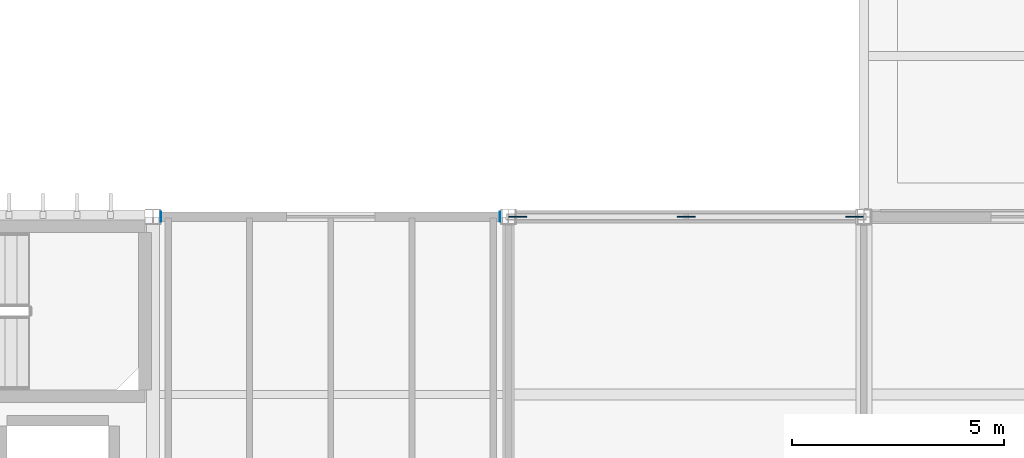
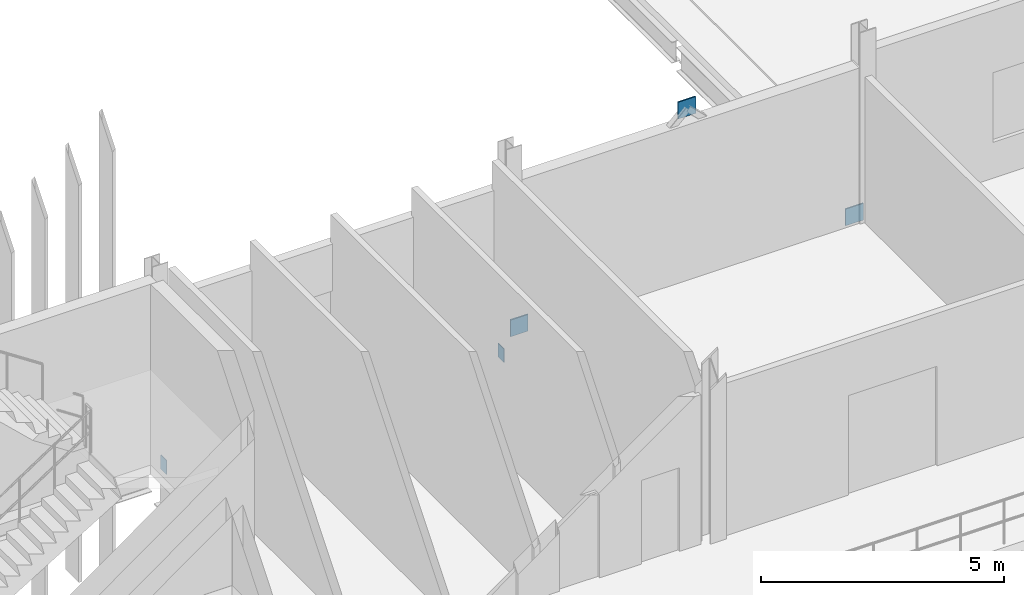
# One storey, part 38 of 72: 5 plates.
"""IFC4 building model written with IfcOpenShell, lengths in metres."""

import ifcopenshell
import ifcopenshell.guid

model = None  # the IFC model being written
_history = None  # IfcOwnerHistory: only IFC2X3 demands one
_inside = {}  # id of a spatial element -> (the spatial element, [elements in it])
_under = {}  # id of a project, library or spatial element -> (it, [spatial elements below it])
_declared = {}  # id of a project -> (the project, [libraries it declares])
_typed = {}  # id of a type object -> (the type object, [elements of that type])
_made_of = {}  # id of a material, layer set ... -> (it, [elements and type objects made of it])


def new_model(schema):
    """Start an empty IFC model of exactly this schema.

    Asked for "IFC4X3", IfcOpenShell would pick the latest addendum, in which some entities
    have other attributes; the version numbers below select the first issue.
    IFC2X3 requires an IfcOwnerHistory on every rooted entity: one is made here for all.
    """
    global model, _history
    if schema == "IFC4X3":
        model = ifcopenshell.file(schema_version=(4, 3, 0, 0))
    else:
        model = ifcopenshell.file(schema=schema)
    _inside.clear()
    _under.clear()
    _declared.clear()
    _typed.clear()
    _made_of.clear()
    _history = None
    if model.schema == "IFC2X3":
        org = make("IfcOrganization", Name="unknown")
        user = make(
            "IfcPersonAndOrganization",
            ThePerson=make("IfcPerson", FamilyName="unknown"),
            TheOrganization=org,
        )
        app = make(
            "IfcApplication",
            ApplicationDeveloper=org,
            Version="unknown",
            ApplicationFullName="unknown",
            ApplicationIdentifier="unknown",
        )
        _history = make(
            "IfcOwnerHistory",
            OwningUser=user,
            OwningApplication=app,
            ChangeAction="ADDED",
            CreationDate=0,
        )
    return model


def make(cls, **values):
    """One entity of the class cls with the attributes given. An attribute that is None is left unset."""
    return model.create_entity(
        cls, **{name: value for name, value in values.items() if value is not None}
    )


def rooted(cls, **values):
    """An entity with a GlobalId (a new one), such as an element, a storey or a relation."""
    return make(cls, GlobalId=ifcopenshell.guid.new(), OwnerHistory=_history, **values)


def si_unit(unit_type, name, prefix=None):
    """IfcSIUnit, for example si_unit("LENGTHUNIT", "METRE", prefix="MILLI")."""
    return make("IfcSIUnit", UnitType=unit_type, Prefix=prefix, Name=name)


def assignment(units):
    """IfcUnitAssignment: the units of a project."""
    return None if units is None else make("IfcUnitAssignment", Units=units)


def point(xyz):
    """IfcCartesianPoint."""
    return None if xyz is None else make("IfcCartesianPoint", Coordinates=xyz)


def direction(xyz):
    """IfcDirection."""
    return None if xyz is None else make("IfcDirection", DirectionRatios=xyz)


def frame(location, z_axis=None, x_axis=None):
    """IfcAxis2Placement3D, a coordinate frame: its origin and axes. An axis left out is left unset."""
    return make(
        "IfcAxis2Placement3D",
        Location=point(location),
        Axis=direction(z_axis),
        RefDirection=direction(x_axis),
    )


def frame_2d(location, x_axis=None):
    """IfcAxis2Placement2D, a coordinate frame in the plane: its origin and x axis."""
    return make(
        "IfcAxis2Placement2D", Location=point(location), RefDirection=direction(x_axis)
    )


def origin():
    """The frame at (0, 0, 0) with its axes left unset."""
    return frame((0.0, 0.0, 0.0))


def origin_2d():
    """The frame at (0, 0) in the plane with its x axis left unset."""
    return frame_2d((0.0, 0.0))


def place(relative_to, where):
    """IfcLocalPlacement: puts the frame where relative to a parent placement (None: the world)."""
    return make(
        "IfcLocalPlacement", PlacementRelTo=relative_to, RelativePlacement=where
    )


def context(
    kind, dimensions, precision=None, world=None, true_north=None, identifier=None
):
    """IfcGeometricRepresentationContext, for example the 3D "Model" context."""
    return make(
        "IfcGeometricRepresentationContext",
        ContextIdentifier=identifier,
        ContextType=kind,
        CoordinateSpaceDimension=dimensions,
        Precision=precision,
        WorldCoordinateSystem=world,
        TrueNorth=true_north,
    )


def subcontext(parent, identifier, kind, view, scale=None):
    """IfcGeometricRepresentationSubContext, for example "Body" below "Model"."""
    return make(
        "IfcGeometricRepresentationSubContext",
        ContextIdentifier=identifier,
        ContextType=kind,
        ParentContext=parent,
        TargetScale=scale,
        TargetView=view,
    )


def project(units=None, contexts=None):
    """IfcProject with its units and contexts."""
    return rooted(
        "IfcProject",
        Name="project",
        RepresentationContexts=contexts,
        UnitsInContext=assignment(units),
    )


def spatial(cls, under=None, at=None, **own):
    """A site, building, storey or space (cls), placed at a placement, below another one or the project."""
    s = rooted(cls, ObjectPlacement=at, **own)
    if under is not None:
        _under.setdefault(under.id(), (under, []))[1].append(s)
    return s


def profile(cls, at=None, kind="AREA", **sizes):
    """A parametric profile (cls). Its sizes go by their IFC names, for example OverallWidth=200.0."""
    return make(cls, ProfileType=kind, Position=at, **sizes)


def rectangle(**sizes):
    """IfcRectangleProfileDef."""
    return profile("IfcRectangleProfileDef", **sizes)


def extrude(swept, where, along, depth):
    """IfcExtrudedAreaSolid: the profile swept, set in the frame where, extruded along a direction by depth."""
    return make(
        "IfcExtrudedAreaSolid",
        SweptArea=swept,
        Position=where,
        ExtrudedDirection=direction(along),
        Depth=depth,
    )


def shape(context_of_items, identifier, shape_type, items):
    """IfcShapeRepresentation: the items that make up one representation, for example the "Body"."""
    return make(
        "IfcShapeRepresentation",
        ContextOfItems=context_of_items,
        RepresentationIdentifier=identifier,
        RepresentationType=shape_type,
        Items=items,
    )


def material(Name=None, Category=None):
    """IfcMaterial."""
    return make("IfcMaterial", Name=Name, Category=Category)


def layer(
    of_material, thickness, ventilated=None, Name=None, Category=None, Priority=None
):
    """IfcMaterialLayer: one layer of a wall or slab, of a material (None: an air gap)."""
    return make(
        "IfcMaterialLayer",
        Material=of_material,
        LayerThickness=thickness,
        IsVentilated=ventilated,
        Name=Name,
        Category=Category,
        Priority=Priority,
    )


def layer_set(layers, Name=None):
    """IfcMaterialLayerSet."""
    return make("IfcMaterialLayerSet", MaterialLayers=layers, LayerSetName=Name)


def made_of(thing, what):
    """Note that an element or type object is made of a material, layer set ...; save() writes the relation."""
    if what is not None:
        _made_of.setdefault(what.id(), (what, []))[1].append(thing)
    return thing


def type_object(cls, material=None, **own):
    """A type object (cls), such as IfcWallType, which elements share."""
    return made_of(rooted(cls, **own), material)


def element(
    cls,
    number,
    at=None,
    inside=None,
    cuts=None,
    type_object=None,
    material=None,
    context=None,
    identifier="Body",
    shape_type=None,
    held_by="IfcProductDefinitionShape",
    body=None,
    shapes=None,
    **own,
):
    """One element of the class cls, such as IfcWall. Its Tag is "e" and its number.

    at: its placement. inside: the storey or other place that contains it. cuts: it is an
    opening in that element (IfcRelVoidsElement). A single representation is given by context,
    identifier, shape_type and body (its items); several are given by shapes. held_by: the class
    of the entity that holds the representations. save() writes the other relations.
    """
    e = rooted(cls, Tag="e%d" % number, ObjectPlacement=at, **own)
    if body is not None:
        shapes = [shape(context, identifier, shape_type, body)]
    if shapes is not None:
        e.Representation = make(held_by, Representations=shapes)
    if inside is not None:
        _inside.setdefault(inside.id(), (inside, []))[1].append(e)
    if cuts is not None:
        rooted(
            "IfcRelVoidsElement", RelatingBuildingElement=cuts, RelatedOpeningElement=e
        )
    if type_object is not None:
        _typed.setdefault(type_object.id(), (type_object, []))[1].append(e)
    return made_of(e, material)


def aggregate(whole, parts):
    """IfcRelAggregates: a whole, such as a stair, and the parts it consists of."""
    return rooted("IfcRelAggregates", RelatingObject=whole, RelatedObjects=parts)


def save(model, path):
    """Write the relations noted so far, then the file.

    IfcRelAggregates (storeys below a building ...), IfcRelContainedInSpatialStructure (elements
    in a storey), IfcRelDefinesByType, IfcRelAssociatesMaterial and IfcRelDeclares: one each for
    every whole, place, type object, material and project.
    """
    for whole, parts in _under.values():
        aggregate(whole, parts)
    for where, things in _inside.values():
        rooted(
            "IfcRelContainedInSpatialStructure",
            RelatedElements=things,
            RelatingStructure=where,
        )
    for kind, things in _typed.values():
        rooted("IfcRelDefinesByType", RelatedObjects=things, RelatingType=kind)
    for what, things in _made_of.values():
        rooted("IfcRelAssociatesMaterial", RelatedObjects=things, RelatingMaterial=what)
    for by, libraries in _declared.values():
        rooted("IfcRelDeclares", RelatingContext=by, RelatedDefinitions=libraries)
    model.write(path)


model = new_model("IFC4")

# Units and contexts
model_context = context("Model", 3, precision=1e-05, world=origin(), true_north=direction((0.0, 1.0)))
body_context = subcontext(model_context, "Body", "Model", "MODEL_VIEW")
ifc_project = project(units=[si_unit("LENGTHUNIT", "METRE"), si_unit("AREAUNIT", "SQUARE_METRE"), si_unit("VOLUMEUNIT", "CUBIC_METRE"), si_unit("PLANEANGLEUNIT", "RADIAN"), si_unit("MASSUNIT", "GRAM", prefix="KILO")], contexts=[model_context])

# Site, building, storey
site_placement = place(None, origin())
site = spatial("IfcSite", under=ifc_project, at=site_placement, CompositionType="ELEMENT")
building_placement = place(site_placement, origin())
building = spatial("IfcBuilding", under=site, at=building_placement, Name="Calvrana Isthmian Art Gallery", CompositionType="ELEMENT")
storey_placement = place(building_placement, frame((0.0, 0.0, 15.0)))
storey = spatial("IfcBuildingStorey", under=building, at=storey_placement, Name="L03", CompositionType="ELEMENT", Elevation=15.0)

# Plates
ifc_material = material(Name="Steel ASTM A572 Gr 50", Category="steel")
ifc_layer_1 = layer(ifc_material, 0.01611328125, Name="Steel ASTM A572 Gr 50")
ifc_layer_set_1 = layer_set([ifc_layer_1], Name="Steel ASTM A572 Gr 50")
plate_type_1 = type_object("IfcPlateType", Name="PL-CAP-16", PredefinedType="SHEET", material=ifc_layer_set_1)
for number, where, z_axis, x_axis, name in (
    (1, (38.58642578125, 46.800048828125, -0.56982421875), (0.0, 0.0, 1.0), (1.0, 0.0, 0.0), "Hollow section end cap plate 477"),
    (2, (46.6005859375, 46.800048828125, -0.56982421875), (0.0, 0.0, 1.0), (1.0, 0.0, 0.0), "Hollow section end cap plate 478"),
):
    element("IfcPlate", number, at=place(storey_placement, frame(where, z_axis=z_axis, x_axis=x_axis)), inside=storey, type_object=plate_type_1, Name=name, PredefinedType="SHEET", context=body_context, shape_type="SweptSolid", body=[
        extrude(rectangle(XDim=0.01611328125, YDim=0.2431640625, at=origin_2d()), origin(), (0.0, 0.0, 1.0), 0.3447265625),
    ])
ifc_layer_2 = layer(ifc_material, 0.031982421875, Name="Steel ASTM A572 Gr 50")
ifc_layer_set_2 = layer_set([ifc_layer_2], Name="Steel ASTM A572 Gr 50")
plate_type_2 = type_object("IfcPlateType", Name="PL-GUSSET-32", PredefinedType="USERDEFINED", material=ifc_layer_set_2)
for number, where, z_axis, x_axis, name in (
    (3, (47.02001953125, 46.800048828125, -0.06005859375), (0.0, 0.0, 1.0), (1.0, 0.0, 0.0), "Chevron brace gusset plate L03-5L"),
    (4, (51.0, 46.800048828125, 4.01416015625), (0.0, 0.0, 1.0), (1.0, 0.0, 0.0), "Chevron brace gusset plate L03-5M"),
    (5, (54.97998046875, 46.800048828125, -0.06005859375), (0.0, 0.0, 1.0), (1.0, 0.0, 0.0), "Chevron brace gusset plate L03-5R"),
):
    element("IfcPlate", number, at=place(storey_placement, frame(where, z_axis=z_axis, x_axis=x_axis)), inside=storey, type_object=plate_type_2, Name=name, ObjectType="GUSSET PLATE", PredefinedType="USERDEFINED", context=body_context, shape_type="SweptSolid", body=[
        extrude(rectangle(XDim=0.419921875, YDim=0.031982421875, at=origin_2d()), origin(), (0.0, 0.0, 1.0), 0.419921875),
    ])

save(model, "model.ifc")
